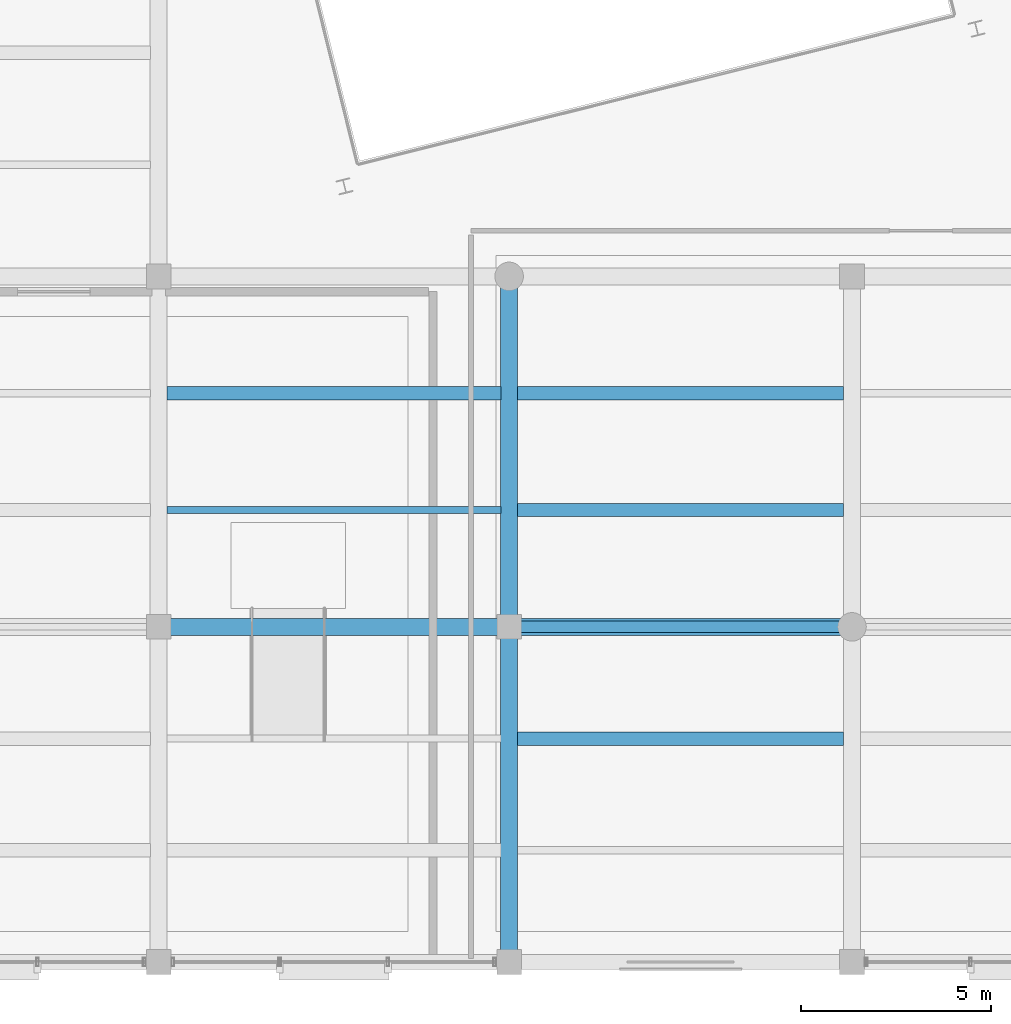
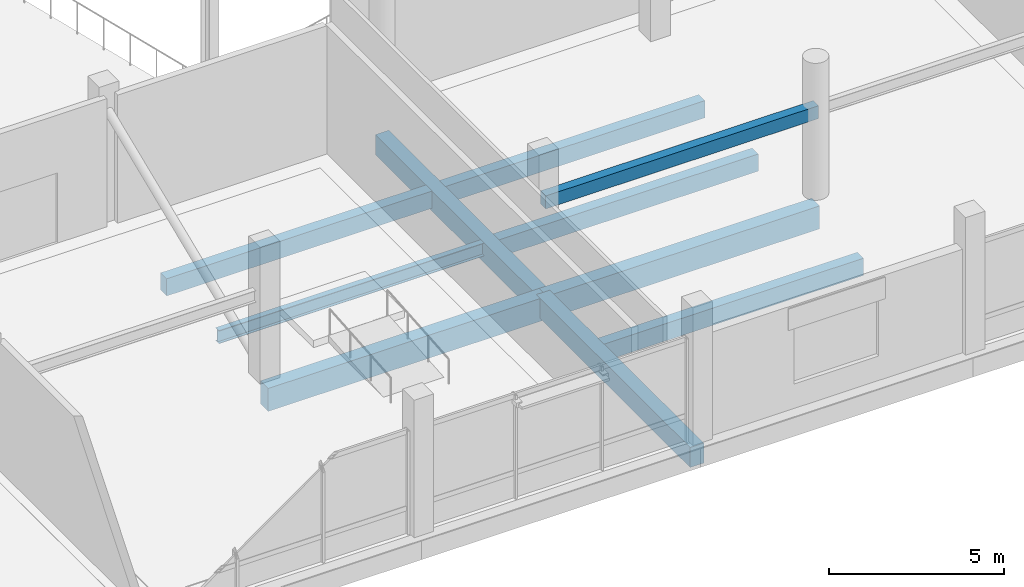
# One storey, part 15 of 71: 10 beams.
"""IFC4 building model written with IfcOpenShell, lengths in metres."""

from ifc_helpers import new_model, si_unit, direction, frame, origin, origin_2d, place, context, subcontext, project, spatial, rectangle, i_section, extrude, material, material_profile, profile_set, type_object, element, save


model = new_model("IFC4")

# Units and contexts
model_context = context("Model", 3, precision=1e-05, world=origin(), true_north=direction((0.0, 1.0)))
body_context = subcontext(model_context, "Body", "Model", "MODEL_VIEW")
ifc_project = project(units=[si_unit("LENGTHUNIT", "METRE"), si_unit("AREAUNIT", "SQUARE_METRE"), si_unit("VOLUMEUNIT", "CUBIC_METRE"), si_unit("PLANEANGLEUNIT", "RADIAN"), si_unit("MASSUNIT", "GRAM", prefix="KILO")], contexts=[model_context])

# Site, building, storey
site_placement = place(None, origin())
site = spatial("IfcSite", under=ifc_project, at=site_placement, CompositionType="ELEMENT")
building_placement = place(site_placement, origin())
building = spatial("IfcBuilding", under=site, at=building_placement, Name="Meriwether Solvik Hall", CompositionType="ELEMENT")
storey_placement = place(building_placement, frame((0.0, 0.0, 5.10009765625)))
storey = spatial("IfcBuildingStorey", under=building, at=storey_placement, Name="L01", CompositionType="ELEMENT", Elevation=5.10009765625)

# Beams
ifc_material_1 = material(Name="Concrete C40/50", Category="concrete")
ifc_material_profile_1 = material_profile(ifc_material_1, rectangle(XDim=0.300048828125, YDim=0.449951171875, at=origin_2d()), Name="RCB-300X450")
ifc_profile_set_1 = profile_set([ifc_material_profile_1], Name="Concrete C40/50")
beam_type_1 = type_object("IfcBeamType", Name="BM-RC-300X450", PredefinedType="LINTEL", material=ifc_profile_set_1)
beam_1_placement = place(storey_placement, frame((77.800048828125, 14.0, 2.9248046875), z_axis=(1.0, 0.0, 0.0), x_axis=(0.0, 1.0, 0.0)))
element("IfcBeam", 1, at=beam_1_placement, inside=storey, type_object=beam_type_1, Name="Galleria Portal Lintel B:9-10 (L01)", PredefinedType="LINTEL", context=body_context, shape_type="SweptSolid", body=[
    extrude(rectangle(XDim=0.300048828125, YDim=0.449951171875, at=origin_2d()), origin(), (0.0, 0.0, 1.0), 9.0),
])
ifc_material_2 = material(Name="Concrete C40/50", Category="concrete")
ifc_material_profile_2 = material_profile(ifc_material_2, rectangle(XDim=0.35009765625, YDim=0.60009765625, at=origin_2d()), Name="RCB-350X600")
ifc_profile_set_2 = profile_set([ifc_material_profile_2], Name="Concrete C40/50")
beam_type_2 = type_object("IfcBeamType", Name="BM-RC-350X600", PredefinedType="JOIST", material=ifc_profile_set_2)
beam_2_placement = place(storey_placement, frame((68.820068359375, 20.13330078125, -0.60009765625), z_axis=(1.0, 0.0, 0.0), x_axis=(0.0, 1.0, 0.0)))
element("IfcBeam", 2, at=beam_2_placement, inside=storey, type_object=beam_type_2, Name="Secondary Floor Joist 8/B_J2 (L01)", PredefinedType="JOIST", context=body_context, shape_type="SweptSolid", body=[
    extrude(rectangle(XDim=0.35009765625, YDim=0.60009765625, at=origin_2d()), origin(), (0.0, 0.0, 1.0), 8.760009765625),
])
for number, where, z_axis, x_axis, name in (
    (3, (78.02001953125, 11.066650390625, -0.60009765625), (1.0, 0.0, 0.0), (0.0, 1.0, 0.0), "Secondary Floor Joist 9/A_J2 (L01)"),
    (4, (78.02001953125, 17.066650390625, -0.60009765625), (1.0, 0.0, 0.0), (0.0, 1.0, 0.0), "Secondary Floor Joist 9/B_J1 (L01)"),
    (5, (78.02001953125, 20.13330078125, -0.60009765625), (1.0, 0.0, 0.0), (0.0, 1.0, 0.0), "Secondary Floor Joist 9/B_J2 (L01)"),
):
    element("IfcBeam", number, at=place(storey_placement, frame(where, z_axis=z_axis, x_axis=x_axis)), inside=storey, type_object=beam_type_2, Name=name, PredefinedType="JOIST", context=body_context, shape_type="SweptSolid", body=[
        extrude(rectangle(XDim=0.35009765625, YDim=0.60009765625, at=origin_2d()), origin(), (0.0, 0.0, 1.0), 8.56005859375),
    ])
ifc_material_3 = material(Name="Concrete C40/50", Category="concrete")
ifc_material_profile_3 = material_profile(ifc_material_3, rectangle(XDim=0.449951171875, YDim=0.699951171875, at=origin_2d()), Name="RCB-450X700")
ifc_profile_set_3 = profile_set([ifc_material_profile_3], Name="Concrete C40/50")
beam_type_3 = type_object("IfcBeamType", Name="BM-RC-450X700", PredefinedType="BEAM", material=ifc_profile_set_3)
beam_3_placement = place(storey_placement, frame((77.800048828125, 5.199951171875, -0.650146484375), z_axis=(0.0, 1.0, 0.0), x_axis=(-1.0, 0.0, 0.0)))
element("IfcBeam", 6, at=beam_3_placement, inside=storey, type_object=beam_type_3, Name="Podium Girder 9:A-B (L01)", PredefinedType="BEAM", context=body_context, shape_type="SweptSolid", body=[
    extrude(rectangle(XDim=0.449951171875, YDim=0.699951171875, at=origin_2d()), origin(), (0.0, 0.0, 1.0), 8.800048828125),
])
beam_4_placement = place(storey_placement, frame((77.800048828125, 14.0, -0.650146484375), z_axis=(0.0, 1.0, 0.0), x_axis=(-1.0, 0.0, 0.0)))
element("IfcBeam", 7, at=beam_4_placement, inside=storey, type_object=beam_type_3, Name="Podium Girder 9:B-C (L01)", PredefinedType="BEAM", context=body_context, shape_type="SweptSolid", body=[
    extrude(rectangle(XDim=0.449951171875, YDim=0.699951171875, at=origin_2d()), origin(), (0.0, 0.0, 1.0), 9.199951171875),
])
ifc_material_4 = material(Name="Concrete C40/50", Category="concrete")
ifc_material_profile_4 = material_profile(ifc_material_4, rectangle(XDim=0.449951171875, YDim=0.800048828125, at=origin_2d()), Name="RCB-450X800")
ifc_profile_set_4 = profile_set([ifc_material_profile_4], Name="Concrete C40/50")
beam_type_4 = type_object("IfcBeamType", Name="BM-RC-450X800", PredefinedType="BEAM", material=ifc_profile_set_4)
beam_5_placement = place(storey_placement, frame((68.60009765625, 14.0, -0.7001953125), z_axis=(1.0, 0.0, 0.0), x_axis=(0.0, 1.0, 0.0)))
element("IfcBeam", 8, at=beam_5_placement, inside=storey, type_object=beam_type_4, Name="Podium Girder B:8-9 (L01)", PredefinedType="BEAM", context=body_context, shape_type="SweptSolid", body=[
    extrude(rectangle(XDim=0.449951171875, YDim=0.800048828125, at=origin_2d()), origin(), (0.0, 0.0, 1.0), 9.199951171875),
])
beam_6_placement = place(storey_placement, frame((77.800048828125, 14.0, -0.7001953125), z_axis=(1.0, 0.0, 0.0), x_axis=(0.0, 1.0, 0.0)))
element("IfcBeam", 9, at=beam_6_placement, inside=storey, type_object=beam_type_4, Name="Podium Girder B:9-10 (L01)", PredefinedType="BEAM", context=body_context, shape_type="SweptSolid", body=[
    extrude(rectangle(XDim=0.449951171875, YDim=0.800048828125, at=origin_2d()), origin(), (0.0, 0.0, 1.0), 9.0),
])
ifc_material_5 = material(Name="Steel A992 Grade 50", Category="steel")
ifc_material_profile_5 = material_profile(ifc_material_5, i_section(OverallWidth=0.19091796875, OverallDepth=0.45703125, WebThickness=0.009033203125, FlangeThickness=0.014404296875, at=origin_2d()), Name="W18X50")
ifc_profile_set_5 = profile_set([ifc_material_profile_5], Name="Steel A992 Grade 50")
beam_type_5 = type_object("IfcBeamType", Name="BM-STL-W18X50", PredefinedType="JOIST", material=ifc_profile_set_5)
beam_7_placement = place(storey_placement, frame((68.820068359375, 17.066650390625, -0.528564453125), z_axis=(1.0, 0.0, 0.0), x_axis=(0.0, 1.0, 0.0)))
element("IfcBeam", 10, at=beam_7_placement, inside=storey, type_object=beam_type_5, Name="Secondary Floor Joist 8/B_J1 (L01)", PredefinedType="JOIST", context=body_context, shape_type="SweptSolid", body=[
    extrude(i_section(OverallWidth=0.19091796875, OverallDepth=0.45703125, WebThickness=0.009033203125, FlangeThickness=0.014404296875, at=origin_2d()), origin(), (0.0, 0.0, 1.0), 8.760009765625),
])

save(model, "model.ifc")
